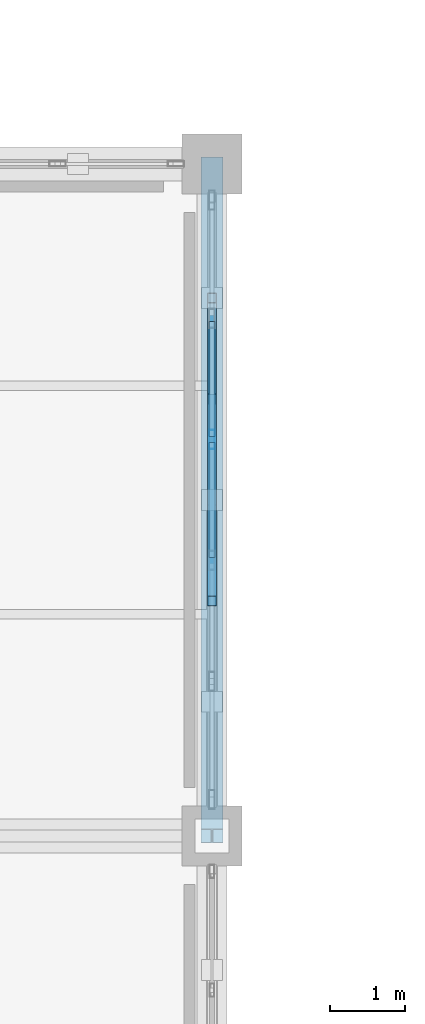
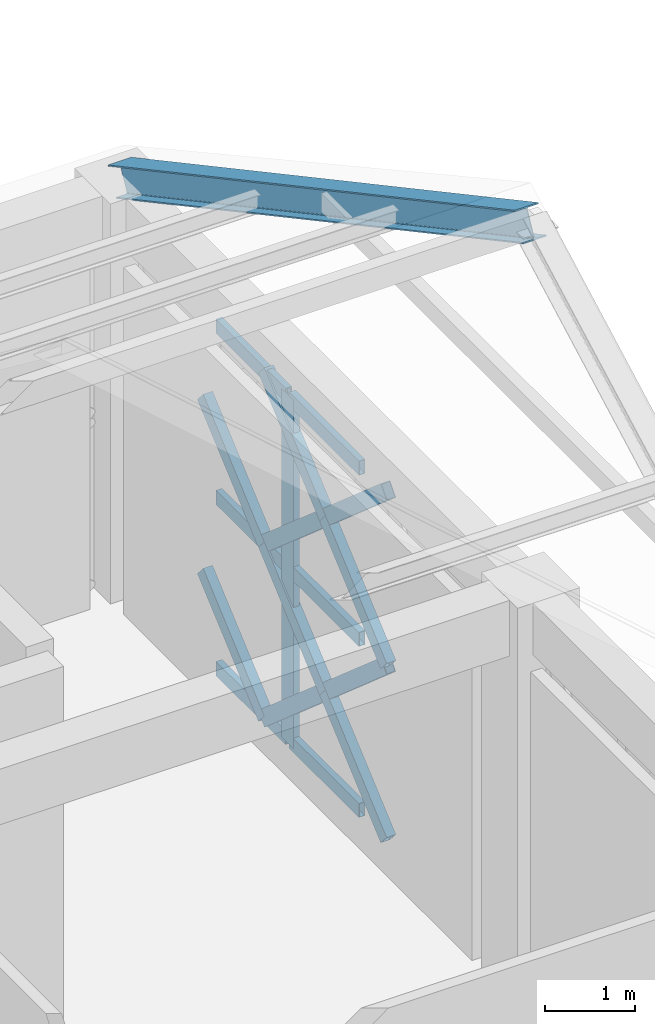
# One storey, part 57 of 86: 16 members, 1 element without a shape of its own.
"""IFC4 building model written with IfcOpenShell, lengths in metres."""

from ifc_helpers import new_model, si_unit, direction, frame, origin, origin_2d, place, context, subcontext, project, spatial, hollow_rectangle, i_section, extrude, material, material_profile, profile_set, type_object, element, aggregate, save


model = new_model("IFC4")

# Units and contexts
model_context = context("Model", 3, precision=1e-05, world=origin(), true_north=direction((0.0, 1.0)))
body_context = subcontext(model_context, "Body", "Model", "MODEL_VIEW")
ifc_project = project(units=[si_unit("LENGTHUNIT", "METRE"), si_unit("AREAUNIT", "SQUARE_METRE"), si_unit("VOLUMEUNIT", "CUBIC_METRE"), si_unit("PLANEANGLEUNIT", "RADIAN"), si_unit("MASSUNIT", "GRAM", prefix="KILO")], contexts=[model_context])

# Site, building, storey
site_placement = place(None, origin())
site = spatial("IfcSite", under=ifc_project, at=site_placement, CompositionType="ELEMENT")
building_placement = place(site_placement, origin())
building = spatial("IfcBuilding", under=site, at=building_placement, Name="Haizhuo Lancet Aquarium", CompositionType="ELEMENT")
storey_placement = place(building_placement, frame((0.0, 0.0, 16.199951171875)))
storey = spatial("IfcBuildingStorey", under=building, at=storey_placement, Name="L03", CompositionType="ELEMENT", Elevation=16.199951171875)

# Curtain wall, members
ifc_material_1 = material(Name="Aluminium 6063-T6", Category="aluminium")
curtain_wall_type = type_object("IfcCurtainWallType", Name="CWO-8110x4700", PredefinedType="NOTDEFINED", material=ifc_material_1)
curtain_wall_placement = place(storey_placement, origin())
curtain_wall = element("IfcCurtainWall", 1, at=curtain_wall_placement, inside=storey, type_object=curtain_wall_type, Name="L03 curtain wall CW-V3-L03-072", PredefinedType="NOTDEFINED")
ifc_material_profile_1 = material_profile(ifc_material_1, hollow_rectangle(XDim=0.080078125, YDim=0.260009765625, WallThickness=0.0048828125, at=origin_2d()), Name="ALU-M 80x260x5")
ifc_profile_set_1 = profile_set([ifc_material_profile_1], Name="Aluminium 6063-T6")
member_type_1 = type_object("IfcMemberType", Name="CW-MUL-3", PredefinedType="MULLION", material=ifc_profile_set_1)
member_1_placement = place(storey_placement, frame((72.0, -12.68896484375, 0.0), z_axis=(0.0, 0.0, 1.0), x_axis=(1.0, 0.0, 0.0)))
member_1 = element("IfcMember", 2, at=member_1_placement, type_object=member_type_1, Name="CWO-81x47 mullion 3", PredefinedType="MULLION", context=body_context, shape_type="SweptSolid", body=[
    extrude(hollow_rectangle(XDim=0.080078125, YDim=0.260009765625, WallThickness=0.0048828125, at=origin_2d()), origin(), (0.0, 0.0, 1.0), 4.699951171875),
])
ifc_material_profile_2 = material_profile(ifc_material_1, hollow_rectangle(XDim=0.080078125, YDim=0.18994140625, WallThickness=0.0048828125, at=origin_2d()), Name="ALU-T 80x190x5")
ifc_profile_set_2 = profile_set([ifc_material_profile_2], Name="Aluminium 6063-T6")
member_type_2 = type_object("IfcMemberType", Name="CW-TRN-3", PredefinedType="NOTDEFINED", material=ifc_profile_set_2)
member_2_placement = place(storey_placement, frame((72.0, -11.10693359375, 0.0400390625), z_axis=(0.0, -1.0, 0.0), x_axis=(1.0, 0.0, 0.0)))
member_2 = element("IfcMember", 3, at=member_2_placement, type_object=member_type_2, Name="CWO-81x47 transom 2.1", ObjectType="TRANSOM", PredefinedType="USERDEFINED", context=body_context, shape_type="SweptSolid", body=[
    extrude(hollow_rectangle(XDim=0.080078125, YDim=0.18994140625, WallThickness=0.0048828125, at=origin_2d()), origin(), (0.0, 0.0, 1.0), 1.5419921875),
])
member_3_placement = place(storey_placement, frame((72.0, -11.10693359375, 2.35009765625), z_axis=(0.0, -1.0, 0.0), x_axis=(1.0, 0.0, 0.0)))
member_3 = element("IfcMember", 4, at=member_3_placement, type_object=member_type_2, Name="CWO-81x47 transom 2.2", ObjectType="TRANSOM", PredefinedType="USERDEFINED", context=body_context, shape_type="SweptSolid", body=[
    extrude(hollow_rectangle(XDim=0.080078125, YDim=0.18994140625, WallThickness=0.0048828125, at=origin_2d()), origin(), (0.0, 0.0, 1.0), 1.5419921875),
])
member_4_placement = place(storey_placement, frame((72.0, -11.10693359375, 4.66015625), z_axis=(0.0, -1.0, 0.0), x_axis=(1.0, 0.0, 0.0)))
member_4 = element("IfcMember", 5, at=member_4_placement, type_object=member_type_2, Name="CWO-81x47 transom 2.3", ObjectType="TRANSOM", PredefinedType="USERDEFINED", context=body_context, shape_type="SweptSolid", body=[
    extrude(hollow_rectangle(XDim=0.080078125, YDim=0.18994140625, WallThickness=0.0048828125, at=origin_2d()), origin(), (0.0, 0.0, 1.0), 1.5419921875),
])
member_5_placement = place(storey_placement, frame((72.0, -12.72900390625, 0.0400390625), z_axis=(0.0, -1.0, 0.0), x_axis=(1.0, 0.0, 0.0)))
member_5 = element("IfcMember", 6, at=member_5_placement, type_object=member_type_2, Name="CWO-81x47 transom 3.1", ObjectType="TRANSOM", PredefinedType="USERDEFINED", context=body_context, shape_type="SweptSolid", body=[
    extrude(hollow_rectangle(XDim=0.080078125, YDim=0.18994140625, WallThickness=0.0048828125, at=origin_2d()), origin(), (0.0, 0.0, 1.0), 1.5419921875),
])
member_6_placement = place(storey_placement, frame((72.0, -12.72900390625, 2.35009765625), z_axis=(0.0, -1.0, 0.0), x_axis=(1.0, 0.0, 0.0)))
member_6 = element("IfcMember", 7, at=member_6_placement, type_object=member_type_2, Name="CWO-81x47 transom 3.2", ObjectType="TRANSOM", PredefinedType="USERDEFINED", context=body_context, shape_type="SweptSolid", body=[
    extrude(hollow_rectangle(XDim=0.080078125, YDim=0.18994140625, WallThickness=0.0048828125, at=origin_2d()), origin(), (0.0, 0.0, 1.0), 1.5419921875),
])
member_7_placement = place(storey_placement, frame((72.0, -12.72900390625, 4.66015625), z_axis=(0.0, -1.0, 0.0), x_axis=(1.0, 0.0, 0.0)))
member_7 = element("IfcMember", 8, at=member_7_placement, type_object=member_type_2, Name="CWO-81x47 transom 3.3", ObjectType="TRANSOM", PredefinedType="USERDEFINED", context=body_context, shape_type="SweptSolid", body=[
    extrude(hollow_rectangle(XDim=0.080078125, YDim=0.18994140625, WallThickness=0.0048828125, at=origin_2d()), origin(), (0.0, 0.0, 1.0), 1.5419921875),
])
aggregate(curtain_wall, [member_1, member_2, member_3, member_4, member_5, member_6, member_7])

# Members
ifc_material_2 = material(Name="Steel S355", Category="steel")
ifc_material_profile_3 = material_profile(ifc_material_2, hollow_rectangle(XDim=0.1201171875, YDim=0.199951171875, WallThickness=0.008056640625, at=origin_2d()), Name="RHS 120x200x8")
ifc_profile_set_3 = profile_set([ifc_material_profile_3], Name="Steel S355")
member_type_3 = type_object("IfcMemberType", Name="MEM-LB-RHS120x200", PredefinedType="BRACE", material=ifc_profile_set_3)
for number, where, z_axis, x_axis, name in (
    (9, (72.0, -12.14794921875, 0.0), (0.0, 0.754784478057, 0.655972858954), (-1.0, 0.0, 0.0), "Gothic lancet split diagonal brace CW-V3-L03-072 1B1"),
    (10, (72.0, -12.14794921875, 2.35009765625), (0.0, 0.754784478057, 0.655972858954), (-1.0, 0.0, 0.0), "Gothic lancet split diagonal brace CW-V3-L03-072 2B1"),
):
    element("IfcMember", number, at=place(storey_placement, frame(where, z_axis=z_axis, x_axis=x_axis)), inside=storey, type_object=member_type_3, Name=name, PredefinedType="BRACE", context=body_context, shape_type="SweptSolid", body=[
        extrude(hollow_rectangle(XDim=0.1201171875, YDim=0.199951171875, WallThickness=0.008056640625, at=origin_2d()), origin(), (0.0, 0.0, 1.0), 1.791259765625),
    ])
member_8_placement = place(storey_placement, frame((72.0, -12.14794921875, 0.0), z_axis=(0.0, -0.754784478057, 0.655972858954), x_axis=(1.0, 0.0, 0.0)))
element("IfcMember", 11, at=member_8_placement, inside=storey, type_object=member_type_3, Name="Gothic lancet continuous diagonal brace CW-V3-L03-072 3A", PredefinedType="BRACE", context=body_context, shape_type="SweptSolid", body=[
    extrude(hollow_rectangle(XDim=0.1201171875, YDim=0.199951171875, WallThickness=0.008056640625, at=origin_2d()), origin(), (0.0, 0.0, 1.0), 3.58251953125),
])
for number, where, z_axis, x_axis, name in (
    (12, (72.0, -14.85205078125, 0.0), (0.0, 0.754784478057, 0.655972858954), (-1.0, 0.0, 0.0), "Gothic lancet split diagonal brace CW-V3-L03-072 3B1"),
    (13, (72.0, -13.5, 1.175048828125), (0.0, 0.754784478057, 0.655972858954), (-1.0, 0.0, 0.0), "Gothic lancet split diagonal brace CW-V3-L03-072 3B2"),
):
    element("IfcMember", number, at=place(storey_placement, frame(where, z_axis=z_axis, x_axis=x_axis)), inside=storey, type_object=member_type_3, Name=name, PredefinedType="BRACE", context=body_context, shape_type="SweptSolid", body=[
        extrude(hollow_rectangle(XDim=0.1201171875, YDim=0.199951171875, WallThickness=0.008056640625, at=origin_2d()), origin(), (0.0, 0.0, 1.0), 1.791259765625),
    ])
member_9_placement = place(storey_placement, frame((72.0, -12.14794921875, 2.35009765625), z_axis=(0.0, -0.754818218859, 0.655934033633), x_axis=(1.0, 0.0, 0.0)))
element("IfcMember", 14, at=member_9_placement, inside=storey, type_object=member_type_3, Name="Gothic lancet continuous diagonal brace CW-V3-L03-072 4A", PredefinedType="BRACE", context=body_context, shape_type="SweptSolid", body=[
    extrude(hollow_rectangle(XDim=0.1201171875, YDim=0.199951171875, WallThickness=0.008056640625, at=origin_2d()), origin(), (0.0, 0.0, 1.0), 3.58251953125),
])
for number, where, z_axis, x_axis, name in (
    (15, (72.0, -14.85205078125, 2.35009765625), (0.0, 0.754784478057, 0.655972858954), (-1.0, 0.0, 0.0), "Gothic lancet split diagonal brace CW-V3-L03-072 4B1"),
    (16, (72.0, -13.5, 3.525146484375), (0.0, 0.754851960681, 0.655895203105), (-1.0, 0.0, 0.0), "Gothic lancet split diagonal brace CW-V3-L03-072 4B2"),
):
    element("IfcMember", number, at=place(storey_placement, frame(where, z_axis=z_axis, x_axis=x_axis)), inside=storey, type_object=member_type_3, Name=name, PredefinedType="BRACE", context=body_context, shape_type="SweptSolid", body=[
        extrude(hollow_rectangle(XDim=0.1201171875, YDim=0.199951171875, WallThickness=0.008056640625, at=origin_2d()), origin(), (0.0, 0.0, 1.0), 1.791259765625),
    ])
ifc_material_profile_4 = material_profile(ifc_material_2, i_section(OverallWidth=0.300048828125, OverallDepth=0.389892578125, WebThickness=0.010009765625, FlangeThickness=0.01611328125, FilletRadius=0.02001953125, at=origin_2d()), Name="HM 390x300x10x16")
ifc_profile_set_4 = profile_set([ifc_material_profile_4], Name="Steel S355")
member_type_4 = type_object("IfcMemberType", Name="MEM-RF-HM390", PredefinedType="RAFTER", material=ifc_profile_set_4)
member_10_placement = place(storey_placement, frame((72.0, -9.0, 5.3701171875), z_axis=(0.0, -0.880479536064, 0.474084155581), x_axis=(1.0, 0.0, 0.0)))
element("IfcMember", 17, at=member_10_placement, inside=storey, type_object=member_type_4, Name="V3 Gothic pitched roof north rafter 6", PredefinedType="RAFTER", context=body_context, shape_type="SweptSolid", body=[
    extrude(i_section(OverallWidth=0.300048828125, OverallDepth=0.389892578125, WebThickness=0.010009765625, FlangeThickness=0.01611328125, FilletRadius=0.02001953125, at=origin_2d()), origin(), (0.0, 0.0, 1.0), 10.2216796875),
])

save(model, "model.ifc")
